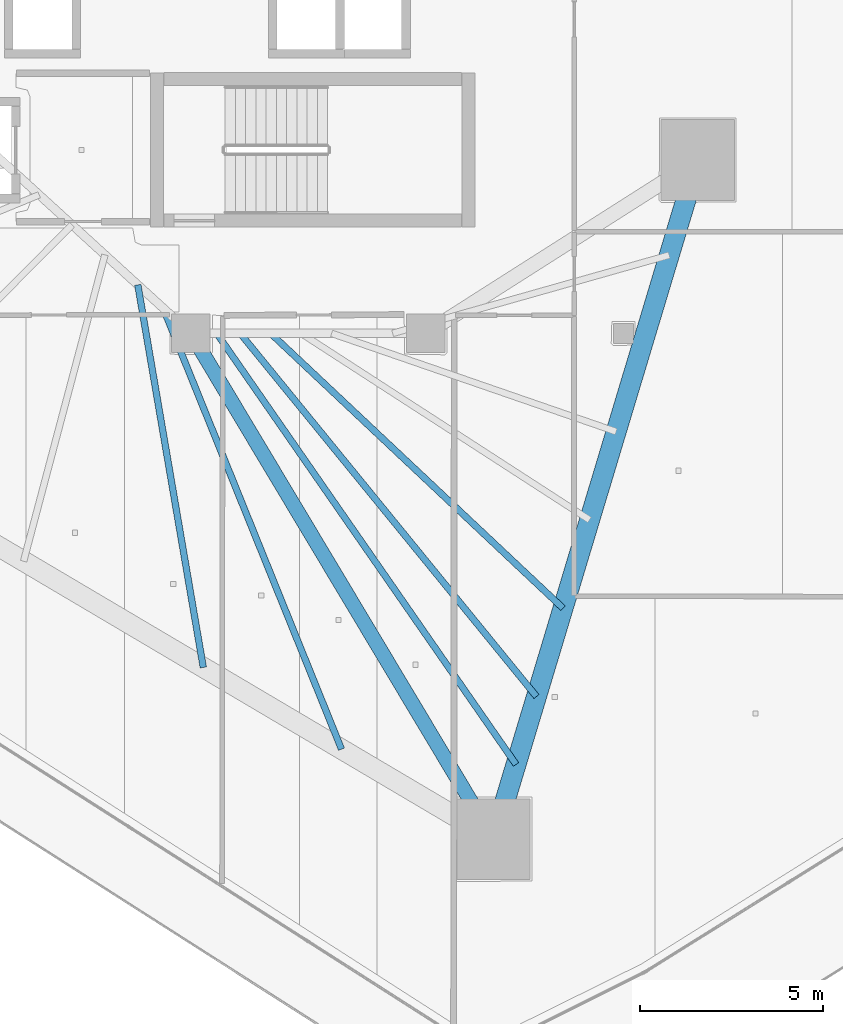
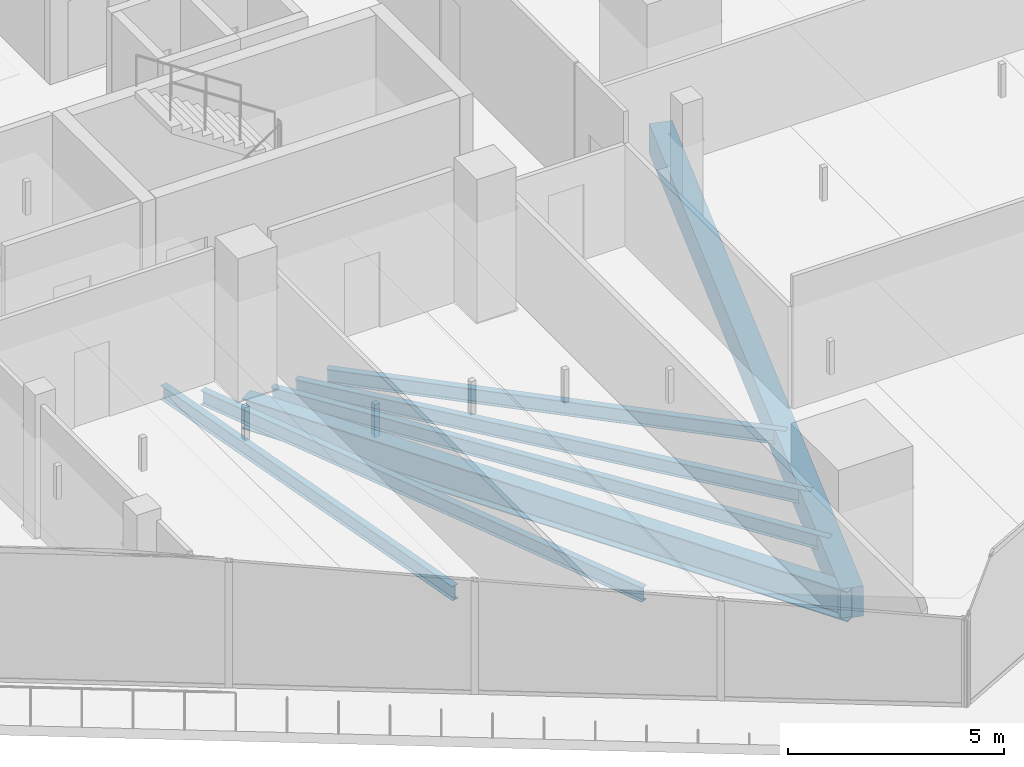
# One storey, part 8 of 44: 7 beams.
"""IFC4 building model written with IfcOpenShell, lengths in metres."""

import ifcopenshell
import ifcopenshell.guid

model = None  # the IFC model being written
_history = None  # IfcOwnerHistory: only IFC2X3 demands one
_inside = {}  # id of a spatial element -> (the spatial element, [elements in it])
_under = {}  # id of a project, library or spatial element -> (it, [spatial elements below it])
_declared = {}  # id of a project -> (the project, [libraries it declares])
_typed = {}  # id of a type object -> (the type object, [elements of that type])
_made_of = {}  # id of a material, layer set ... -> (it, [elements and type objects made of it])


def new_model(schema):
    """Start an empty IFC model of exactly this schema.

    Asked for "IFC4X3", IfcOpenShell would pick the latest addendum, in which some entities
    have other attributes; the version numbers below select the first issue.
    IFC2X3 requires an IfcOwnerHistory on every rooted entity: one is made here for all.
    """
    global model, _history
    if schema == "IFC4X3":
        model = ifcopenshell.file(schema_version=(4, 3, 0, 0))
    else:
        model = ifcopenshell.file(schema=schema)
    _inside.clear()
    _under.clear()
    _declared.clear()
    _typed.clear()
    _made_of.clear()
    _history = None
    if model.schema == "IFC2X3":
        org = make("IfcOrganization", Name="unknown")
        user = make(
            "IfcPersonAndOrganization",
            ThePerson=make("IfcPerson", FamilyName="unknown"),
            TheOrganization=org,
        )
        app = make(
            "IfcApplication",
            ApplicationDeveloper=org,
            Version="unknown",
            ApplicationFullName="unknown",
            ApplicationIdentifier="unknown",
        )
        _history = make(
            "IfcOwnerHistory",
            OwningUser=user,
            OwningApplication=app,
            ChangeAction="ADDED",
            CreationDate=0,
        )
    return model


def make(cls, **values):
    """One entity of the class cls with the attributes given. An attribute that is None is left unset."""
    return model.create_entity(
        cls, **{name: value for name, value in values.items() if value is not None}
    )


def rooted(cls, **values):
    """An entity with a GlobalId (a new one), such as an element, a storey or a relation."""
    return make(cls, GlobalId=ifcopenshell.guid.new(), OwnerHistory=_history, **values)


def si_unit(unit_type, name, prefix=None):
    """IfcSIUnit, for example si_unit("LENGTHUNIT", "METRE", prefix="MILLI")."""
    return make("IfcSIUnit", UnitType=unit_type, Prefix=prefix, Name=name)


def assignment(units):
    """IfcUnitAssignment: the units of a project."""
    return None if units is None else make("IfcUnitAssignment", Units=units)


def point(xyz):
    """IfcCartesianPoint."""
    return None if xyz is None else make("IfcCartesianPoint", Coordinates=xyz)


def direction(xyz):
    """IfcDirection."""
    return None if xyz is None else make("IfcDirection", DirectionRatios=xyz)


def frame(location, z_axis=None, x_axis=None):
    """IfcAxis2Placement3D, a coordinate frame: its origin and axes. An axis left out is left unset."""
    return make(
        "IfcAxis2Placement3D",
        Location=point(location),
        Axis=direction(z_axis),
        RefDirection=direction(x_axis),
    )


def frame_2d(location, x_axis=None):
    """IfcAxis2Placement2D, a coordinate frame in the plane: its origin and x axis."""
    return make(
        "IfcAxis2Placement2D", Location=point(location), RefDirection=direction(x_axis)
    )


def origin():
    """The frame at (0, 0, 0) with its axes left unset."""
    return frame((0.0, 0.0, 0.0))


def origin_2d():
    """The frame at (0, 0) in the plane with its x axis left unset."""
    return frame_2d((0.0, 0.0))


def place(relative_to, where):
    """IfcLocalPlacement: puts the frame where relative to a parent placement (None: the world)."""
    return make(
        "IfcLocalPlacement", PlacementRelTo=relative_to, RelativePlacement=where
    )


def context(
    kind, dimensions, precision=None, world=None, true_north=None, identifier=None
):
    """IfcGeometricRepresentationContext, for example the 3D "Model" context."""
    return make(
        "IfcGeometricRepresentationContext",
        ContextIdentifier=identifier,
        ContextType=kind,
        CoordinateSpaceDimension=dimensions,
        Precision=precision,
        WorldCoordinateSystem=world,
        TrueNorth=true_north,
    )


def subcontext(parent, identifier, kind, view, scale=None):
    """IfcGeometricRepresentationSubContext, for example "Body" below "Model"."""
    return make(
        "IfcGeometricRepresentationSubContext",
        ContextIdentifier=identifier,
        ContextType=kind,
        ParentContext=parent,
        TargetScale=scale,
        TargetView=view,
    )


def project(units=None, contexts=None):
    """IfcProject with its units and contexts."""
    return rooted(
        "IfcProject",
        Name="project",
        RepresentationContexts=contexts,
        UnitsInContext=assignment(units),
    )


def spatial(cls, under=None, at=None, **own):
    """A site, building, storey or space (cls), placed at a placement, below another one or the project."""
    s = rooted(cls, ObjectPlacement=at, **own)
    if under is not None:
        _under.setdefault(under.id(), (under, []))[1].append(s)
    return s


def profile(cls, at=None, kind="AREA", **sizes):
    """A parametric profile (cls). Its sizes go by their IFC names, for example OverallWidth=200.0."""
    return make(cls, ProfileType=kind, Position=at, **sizes)


def rectangle(**sizes):
    """IfcRectangleProfileDef."""
    return profile("IfcRectangleProfileDef", **sizes)


def i_section(**sizes):
    """IfcIShapeProfileDef."""
    return profile("IfcIShapeProfileDef", **sizes)


def extrude(swept, where, along, depth):
    """IfcExtrudedAreaSolid: the profile swept, set in the frame where, extruded along a direction by depth."""
    return make(
        "IfcExtrudedAreaSolid",
        SweptArea=swept,
        Position=where,
        ExtrudedDirection=direction(along),
        Depth=depth,
    )


def shape(context_of_items, identifier, shape_type, items):
    """IfcShapeRepresentation: the items that make up one representation, for example the "Body"."""
    return make(
        "IfcShapeRepresentation",
        ContextOfItems=context_of_items,
        RepresentationIdentifier=identifier,
        RepresentationType=shape_type,
        Items=items,
    )


def material(Name=None, Category=None):
    """IfcMaterial."""
    return make("IfcMaterial", Name=Name, Category=Category)


def material_profile(
    of_material, cross_section, Name=None, Category=None, Priority=None
):
    """IfcMaterialProfile: a cross section and its material."""
    return make(
        "IfcMaterialProfile",
        Name=Name,
        Material=of_material,
        Profile=cross_section,
        Priority=Priority,
        Category=Category,
    )


def profile_set(profiles, Name=None, composite=None):
    """IfcMaterialProfileSet."""
    return make(
        "IfcMaterialProfileSet",
        Name=Name,
        MaterialProfiles=profiles,
        CompositeProfile=composite,
    )


def made_of(thing, what):
    """Note that an element or type object is made of a material, layer set ...; save() writes the relation."""
    if what is not None:
        _made_of.setdefault(what.id(), (what, []))[1].append(thing)
    return thing


def type_object(cls, material=None, **own):
    """A type object (cls), such as IfcWallType, which elements share."""
    return made_of(rooted(cls, **own), material)


def element(
    cls,
    number,
    at=None,
    inside=None,
    cuts=None,
    type_object=None,
    material=None,
    context=None,
    identifier="Body",
    shape_type=None,
    held_by="IfcProductDefinitionShape",
    body=None,
    shapes=None,
    **own,
):
    """One element of the class cls, such as IfcWall. Its Tag is "e" and its number.

    at: its placement. inside: the storey or other place that contains it. cuts: it is an
    opening in that element (IfcRelVoidsElement). A single representation is given by context,
    identifier, shape_type and body (its items); several are given by shapes. held_by: the class
    of the entity that holds the representations. save() writes the other relations.
    """
    e = rooted(cls, Tag="e%d" % number, ObjectPlacement=at, **own)
    if body is not None:
        shapes = [shape(context, identifier, shape_type, body)]
    if shapes is not None:
        e.Representation = make(held_by, Representations=shapes)
    if inside is not None:
        _inside.setdefault(inside.id(), (inside, []))[1].append(e)
    if cuts is not None:
        rooted(
            "IfcRelVoidsElement", RelatingBuildingElement=cuts, RelatedOpeningElement=e
        )
    if type_object is not None:
        _typed.setdefault(type_object.id(), (type_object, []))[1].append(e)
    return made_of(e, material)


def aggregate(whole, parts):
    """IfcRelAggregates: a whole, such as a stair, and the parts it consists of."""
    return rooted("IfcRelAggregates", RelatingObject=whole, RelatedObjects=parts)


def save(model, path):
    """Write the relations noted so far, then the file.

    IfcRelAggregates (storeys below a building ...), IfcRelContainedInSpatialStructure (elements
    in a storey), IfcRelDefinesByType, IfcRelAssociatesMaterial and IfcRelDeclares: one each for
    every whole, place, type object, material and project.
    """
    for whole, parts in _under.values():
        aggregate(whole, parts)
    for where, things in _inside.values():
        rooted(
            "IfcRelContainedInSpatialStructure",
            RelatedElements=things,
            RelatingStructure=where,
        )
    for kind, things in _typed.values():
        rooted("IfcRelDefinesByType", RelatedObjects=things, RelatingType=kind)
    for what, things in _made_of.values():
        rooted("IfcRelAssociatesMaterial", RelatedObjects=things, RelatingMaterial=what)
    for by, libraries in _declared.values():
        rooted("IfcRelDeclares", RelatingContext=by, RelatedDefinitions=libraries)
    model.write(path)


model = new_model("IFC4")

# Units and contexts
model_context = context("Model", 3, precision=1e-05, world=origin(), true_north=direction((0.0, 1.0)))
body_context = subcontext(model_context, "Body", "Model", "MODEL_VIEW")
ifc_project = project(units=[si_unit("LENGTHUNIT", "METRE"), si_unit("AREAUNIT", "SQUARE_METRE"), si_unit("VOLUMEUNIT", "CUBIC_METRE"), si_unit("PLANEANGLEUNIT", "RADIAN"), si_unit("MASSUNIT", "GRAM", prefix="KILO")], contexts=[model_context])

# Site, building, storey
site_placement = place(None, origin())
site = spatial("IfcSite", under=ifc_project, at=site_placement, CompositionType="ELEMENT")
building_placement = place(site_placement, origin())
building = spatial("IfcBuilding", under=site, at=building_placement, Name="Qorvath Tower", CompositionType="ELEMENT")
storey_placement = place(building_placement, frame((0.0, 0.0, 113.85009765625)))
storey = spatial("IfcBuildingStorey", under=building, at=storey_placement, Name="L25", CompositionType="ELEMENT", Elevation=113.85009765625)

# Beams
ifc_material_1 = material(Name="Steel ASTM A992 Grade 50", Category="steel")
ifc_material_profile_1 = material_profile(ifc_material_1, i_section(OverallWidth=0.39892578125, OverallDepth=0.85498046875, WebThickness=0.018310546875, FlangeThickness=0.029296875, FilletRadius=0.02001953125, at=origin_2d()), Name="W33x201")
ifc_profile_set_1 = profile_set([ifc_material_profile_1], Name="Steel ASTM A992 Grade 50")
beam_type_1 = type_object("IfcBeamType", Name="BM-FG2", PredefinedType="BEAM", material=ifc_profile_set_1)
beam_1_placement = place(storey_placement, frame((-23.60009765625, -11.449951171875, -0.70751953125), z_axis=(0.513497213955, -0.85809126045, 0.0), x_axis=(0.85809126045, 0.513497213955, 0.0)))
element("IfcBeam", 1, at=beam_1_placement, inside=storey, type_object=beam_type_1, Name="Radial Floor Girder CC4-MC3 L25", PredefinedType="BEAM", context=body_context, shape_type="SweptSolid", body=[
    extrude(i_section(OverallWidth=0.39892578125, OverallDepth=0.85498046875, WebThickness=0.018310546875, FlangeThickness=0.029296875, FilletRadius=0.02001953125, at=origin_2d()), origin(), (0.0, 0.0, 1.0), 16.07763671875),
])
ifc_material_2 = material(Name="Steel ASTM A992 Grade 50", Category="steel")
ifc_material_profile_2 = material_profile(ifc_material_2, i_section(OverallWidth=0.177978515625, OverallDepth=0.406005859375, WebThickness=0.0078125, FlangeThickness=0.0126953125, FilletRadius=0.010986328125, at=origin_2d()), Name="W16x40")
ifc_profile_set_2 = profile_set([ifc_material_profile_2], Name="Steel ASTM A992 Grade 50")
beam_type_2 = type_object("IfcBeamType", Name="BM-FJ3", PredefinedType="JOIST", material=ifc_profile_set_2)
beam_2_placement = place(storey_placement, frame((-21.424072265625, -11.449951171875, -0.48291015625), z_axis=(0.728572459091, -0.684968737866, 0.0), x_axis=(0.684968737866, 0.728572459091, 0.0)))
element("IfcBeam", 2, at=beam_2_placement, inside=storey, type_object=beam_type_2, Name="Composite Floor Joist SE5 L25", PredefinedType="JOIST", context=body_context, shape_type="SweptSolid", body=[
    extrude(i_section(OverallWidth=0.177978515625, OverallDepth=0.406005859375, WebThickness=0.0078125, FlangeThickness=0.0126953125, FilletRadius=0.010986328125, at=origin_2d()), origin(), (0.0, 0.0, 1.0), 10.9462890625),
])
beam_3_placement = place(storey_placement, frame((-22.256103515625, -11.449951171875, -0.48291015625), z_axis=(0.632187975212, -0.774815051478, 0.0), x_axis=(0.774815051478, 0.632187975212, 0.0)))
element("IfcBeam", 3, at=beam_3_placement, inside=storey, type_object=beam_type_2, Name="Composite Floor Joist SE6 L25", PredefinedType="JOIST", context=body_context, shape_type="SweptSolid", body=[
    extrude(i_section(OverallWidth=0.177978515625, OverallDepth=0.406005859375, WebThickness=0.0078125, FlangeThickness=0.0126953125, FilletRadius=0.010986328125, at=origin_2d()), origin(), (0.0, 0.0, 1.0), 12.784912109375),
])
beam_4_placement = place(storey_placement, frame((-22.89599609375, -11.449951171875, -0.48291015625), z_axis=(0.570366725248, -0.821390162304, 0.0), x_axis=(0.821390162304, 0.570366725248, 0.0)))
element("IfcBeam", 4, at=beam_4_placement, inside=storey, type_object=beam_type_2, Name="Composite Floor Joist SE7 L25", PredefinedType="JOIST", context=body_context, shape_type="SweptSolid", body=[
    extrude(i_section(OverallWidth=0.177978515625, OverallDepth=0.406005859375, WebThickness=0.0078125, FlangeThickness=0.0126953125, FilletRadius=0.010986328125, at=origin_2d()), origin(), (0.0, 0.0, 1.0), 14.3154296875),
])
beam_5_placement = place(storey_placement, frame((-25.049072265625, -10.126953125, -0.48291015625), z_axis=(0.168745594245, -0.985659639238, 0.0), x_axis=(0.985659639238, 0.168745594245, 0.0)))
element("IfcBeam", 5, at=beam_5_placement, inside=storey, type_object=beam_type_2, Name="Composite Floor Joist SW6 L25", PredefinedType="JOIST", context=body_context, shape_type="SweptSolid", body=[
    extrude(i_section(OverallWidth=0.177978515625, OverallDepth=0.406005859375, WebThickness=0.0078125, FlangeThickness=0.0126953125, FilletRadius=0.010986328125, at=origin_2d()), origin(), (0.0, 0.0, 1.0), 10.589111328125),
])
beam_6_placement = place(storey_placement, frame((-24.35888671875, -10.757080078125, -0.48291015625), z_axis=(0.37487652097, -0.927074751045, 0.0), x_axis=(0.927074751045, 0.37487652097, 0.0)))
element("IfcBeam", 6, at=beam_6_placement, inside=storey, type_object=beam_type_2, Name="Composite Floor Joist SW7 L25", PredefinedType="JOIST", context=body_context, shape_type="SweptSolid", body=[
    extrude(i_section(OverallWidth=0.177978515625, OverallDepth=0.406005859375, WebThickness=0.0078125, FlangeThickness=0.0126953125, FilletRadius=0.010986328125, at=origin_2d()), origin(), (0.0, 0.0, 1.0), 12.9833984375),
])
ifc_material_3 = material(Name="Concrete C50/60", Category="concrete")
ifc_material_profile_3 = material_profile(ifc_material_3, rectangle(XDim=0.550048828125, YDim=0.85009765625, at=origin_2d()), Name="RCB 850x550")
ifc_profile_set_3 = profile_set([ifc_material_profile_3], Name="Concrete C50/60")
beam_type_3 = type_object("IfcBeamType", Name="BM-RCB2", PredefinedType="SPANDREL", material=ifc_profile_set_3)
beam_7_placement = place(storey_placement, frame((-15.34423828125, -25.24609375, -0.705078125), z_axis=(0.288133952099, 0.957590113591, 0.0), x_axis=(-0.957590113591, 0.288133952099, 0.0)))
element("IfcBeam", 7, at=beam_7_placement, inside=storey, type_object=beam_type_3, Name="Perimeter Loggia Frame Beam MC3-MC4 L25", PredefinedType="SPANDREL", context=body_context, shape_type="SweptSolid", body=[
    extrude(rectangle(XDim=0.550048828125, YDim=0.85009765625, at=origin_2d()), origin(), (0.0, 0.0, 1.0), 19.344970703125),
])

save(model, "model.ifc")
